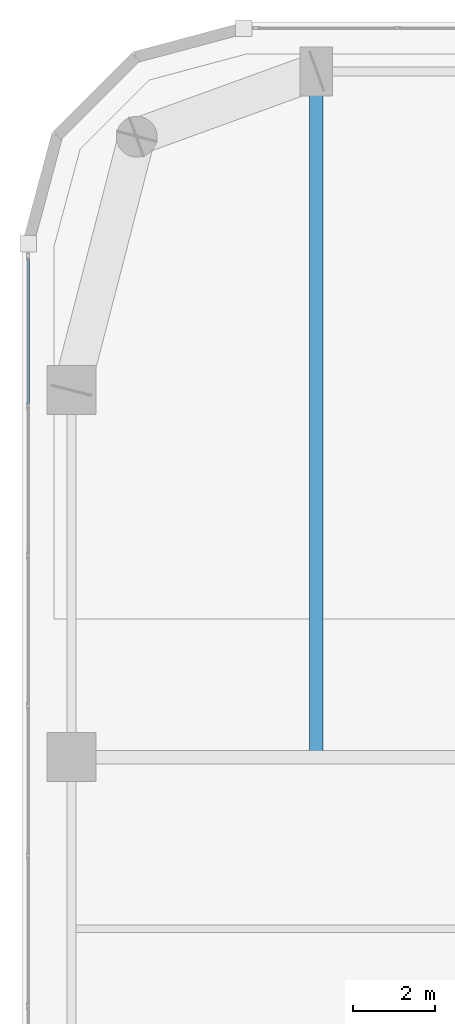
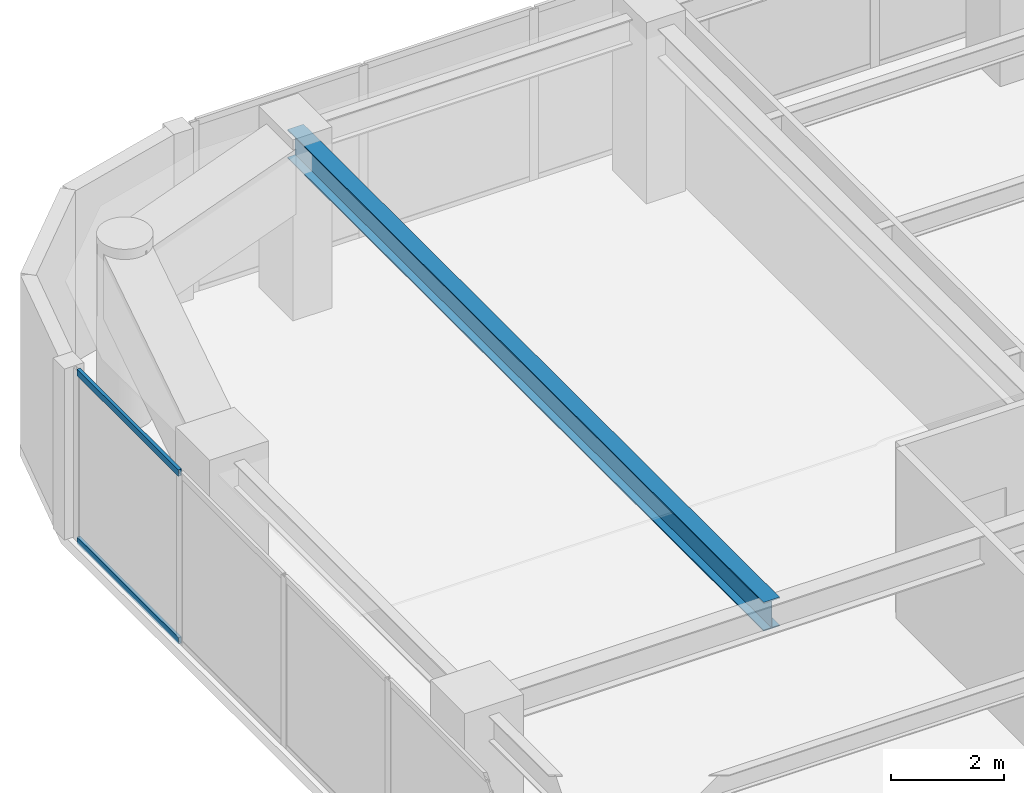
# One storey, part 14 of 30: 2 members, 1 beam, 1 element without a shape of its own.
"""IFC4 building model written with IfcOpenShell, lengths in metres."""

from ifc_helpers import new_model, si_unit, direction, frame, origin, origin_2d, place, context, subcontext, project, spatial, hollow_rectangle, i_section, extrude, material, layer, layer_set, material_profile, profile_set, type_object, element, aggregate, save


model = new_model("IFC4")

# Units and contexts
model_context = context("Model", 3, precision=1e-05, world=origin(), true_north=direction((0.0, 1.0)))
body_context = subcontext(model_context, "Body", "Model", "MODEL_VIEW")
ifc_project = project(units=[si_unit("LENGTHUNIT", "METRE"), si_unit("AREAUNIT", "SQUARE_METRE"), si_unit("VOLUMEUNIT", "CUBIC_METRE"), si_unit("PLANEANGLEUNIT", "RADIAN"), si_unit("MASSUNIT", "GRAM", prefix="KILO")], contexts=[model_context])

# Site, building, storey
site_placement = place(None, origin())
site = spatial("IfcSite", under=ifc_project, at=site_placement, CompositionType="ELEMENT")
building_placement = place(site_placement, origin())
building = spatial("IfcBuilding", under=site, at=building_placement, Name="Kiyonajd Concourse Tower", CompositionType="ELEMENT")
storey_placement = place(building_placement, frame((0.0, 0.0, 174.0)))
storey = spatial("IfcBuildingStorey", under=building, at=storey_placement, Name="L44", CompositionType="ELEMENT", Elevation=174.0)

# Beam
ifc_material_1 = material(Name="Steel ASTM A992 Grade 50", Category="steel")
ifc_material_profile_1 = material_profile(ifc_material_1, i_section(OverallWidth=0.326904296875, OverallDepth=0.6220703125, WebThickness=0.015380859375, FlangeThickness=0.0244140625, at=origin_2d()), Name="W610X195")
ifc_profile_set_1 = profile_set([ifc_material_profile_1], Name="Steel ASTM A992 Grade 50")
beam_type = type_object("IfcBeamType", Name="BM-TWR-610A", PredefinedType="BEAM", material=ifc_profile_set_1)
beam_placement = place(storey_placement, frame((25.199951171875, 44.39990234375, 3.368896484375), z_axis=(0.0, 1.0, 0.0), x_axis=(-1.0, 0.0, 0.0)))
element("IfcBeam", 1, at=beam_placement, inside=storey, type_object=beam_type, Name="L44 North Lease Girder", PredefinedType="BEAM", context=body_context, shape_type="SweptSolid", body=[
    extrude(i_section(OverallWidth=0.326904296875, OverallDepth=0.6220703125, WebThickness=0.015380859375, FlangeThickness=0.0244140625, at=origin_2d()), origin(), (0.0, 0.0, 1.0), 16.800048828125),
])

# Curtain wall, members
ifc_material_2 = material(Name="Thermally Broken Anodised Aluminium", Category="aluminium")
ifc_layer = layer(ifc_material_2, 0.179931640625)
ifc_layer_set = layer_set([ifc_layer], Name="Thermally Broken Anodised Aluminium")
curtain_wall_type = type_object("IfcCurtainWallType", Name="CW-SYS-03", PredefinedType="NOTDEFINED", material=ifc_layer_set)
curtain_wall_placement = place(storey_placement, origin())
curtain_wall = element("IfcCurtainWall", 2, at=curtain_wall_placement, inside=storey, type_object=curtain_wall_type, Name="L44 Unitised Curtain Wall CW3", PredefinedType="NOTDEFINED")
ifc_material_profile_2 = material_profile(ifc_material_2, hollow_rectangle(XDim=0.06494140625, YDim=0.139892578125, WallThickness=0.00390625, at=origin_2d()), Name="TRAN-65x140")
ifc_profile_set_2 = profile_set([ifc_material_profile_2], Name="Thermally Broken Anodised Aluminium")
member_type = type_object("IfcMemberType", Name="MB-CW-TRAN1", PredefinedType="USERDEFINED", material=ifc_profile_set_2)
member_1_placement = place(storey_placement, frame((18.139892578125, 53.047119140625, 0.032470703125), z_axis=(0.0, 1.0, 0.0), x_axis=(-1.0, 0.0, 0.0)))
member_1 = element("IfcMember", 3, at=member_1_placement, type_object=member_type, Name="CW3 transom 6.1", ObjectType="TRANSOM", PredefinedType="USERDEFINED", context=body_context, shape_type="SweptSolid", body=[
    extrude(hollow_rectangle(XDim=0.06494140625, YDim=0.139892578125, WallThickness=0.00390625, at=origin_2d()), origin(), (0.0, 0.0, 1.0), 3.57958984375),
])
member_2_placement = place(storey_placement, frame((18.139892578125, 53.047119140625, 3.6474609375), z_axis=(0.0, 1.0, 0.0), x_axis=(-1.0, 0.0, 0.0)))
member_2 = element("IfcMember", 4, at=member_2_placement, type_object=member_type, Name="CW3 transom 6.2", ObjectType="TRANSOM", PredefinedType="USERDEFINED", context=body_context, shape_type="SweptSolid", body=[
    extrude(hollow_rectangle(XDim=0.06494140625, YDim=0.139892578125, WallThickness=0.00390625, at=origin_2d()), origin(), (0.0, 0.0, 1.0), 3.57958984375),
])
aggregate(curtain_wall, [member_1, member_2])

save(model, "model.ifc")
